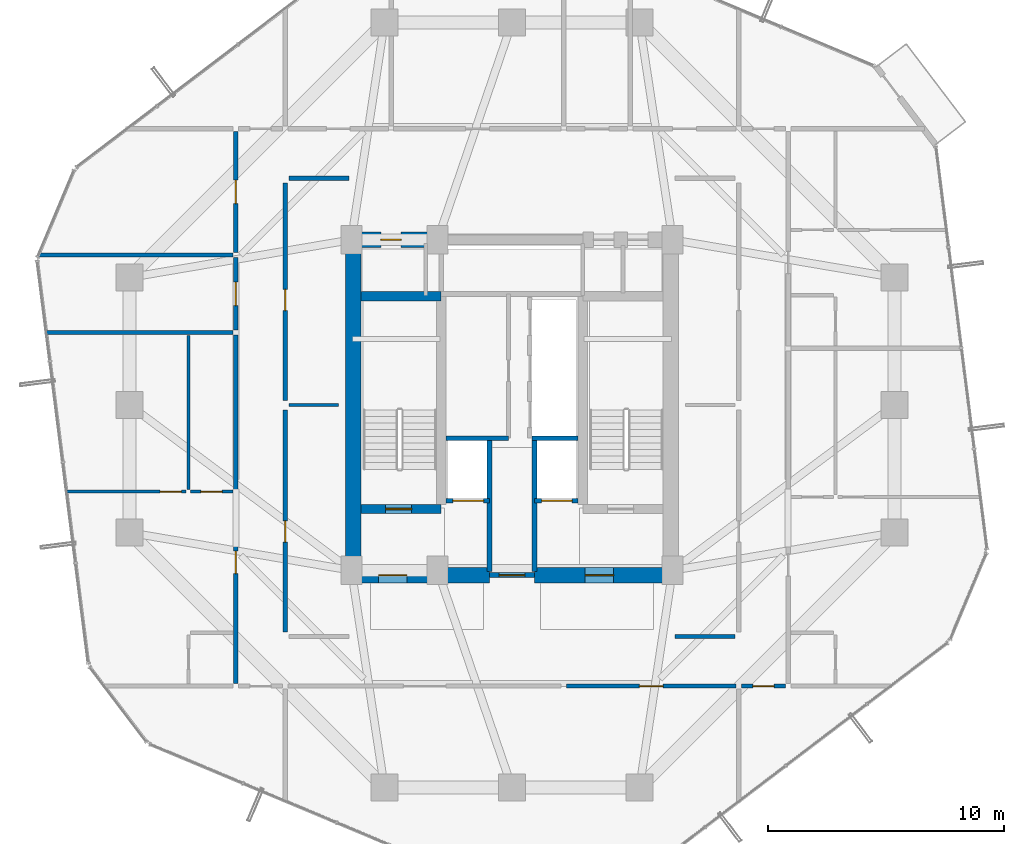
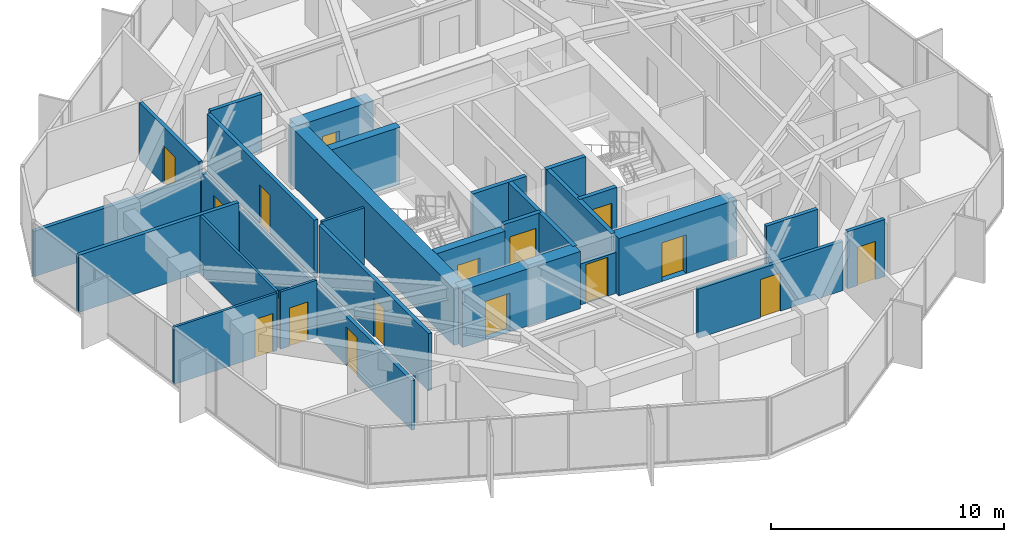
# One storey, part 29 of 33: 28 walls, 16 doors, 16 openings.
"""IFC4 building model written with IfcOpenShell, lengths in metres."""

from ifc_helpers import new_model, si_unit, direction, frame, frame_2d, origin, place, context, subcontext, project, spatial, rectangle, extrude, source, transform, mapped, material, layer, layer_set, type_object, element, fill, save


model = new_model("IFC4")

# Units and contexts
model_context = context("Model", 3, precision=1e-05, world=origin(), true_north=direction((0.0, 1.0)))
body_context = subcontext(model_context, "Body", "Model", "MODEL_VIEW")
ifc_project = project(units=[si_unit("LENGTHUNIT", "METRE"), si_unit("AREAUNIT", "SQUARE_METRE"), si_unit("VOLUMEUNIT", "CUBIC_METRE"), si_unit("PLANEANGLEUNIT", "RADIAN"), si_unit("MASSUNIT", "GRAM", prefix="KILO")], contexts=[model_context])

# Site, building, storey
site_placement = place(None, origin())
site = spatial("IfcSite", under=ifc_project, at=site_placement, CompositionType="ELEMENT")
building_placement = place(site_placement, origin())
building = spatial("IfcBuilding", under=site, at=building_placement, Name="Veraguas Prism Commons", CompositionType="ELEMENT")
storey_placement = place(building_placement, frame((0.0, 0.0, 152.25)))
storey = spatial("IfcBuildingStorey", under=building, at=storey_placement, Name="L43", CompositionType="ELEMENT", Elevation=152.25)

# Wall, opening, door
ifc_material_1 = material(Name="Concrete C50/60", Category="concrete")
ifc_layer_1 = layer(ifc_material_1, 0.39990234375, Name="Clinic and Mid Core Shear Wall RC 400", Category="concrete")
ifc_layer_set_1 = layer_set([ifc_layer_1], Name="Concrete C50/60")
wall_type_1 = type_object("IfcWallType", Name="Clinic and Mid Core Shear Wall RC 400", PredefinedType="SHEAR", material=ifc_layer_set_1)
wall_1_placement = place(storey_placement, frame((17.60009765625, 19.60009765625, 0.0), z_axis=(0.0, 0.0, 1.0), x_axis=(1.0, 0.0, 0.0)))
wall_1 = element("IfcWall", 1, at=wall_1_placement, inside=storey, type_object=wall_type_1, Name="Stair ST-01 South Shear Wall L43", PredefinedType="SHEAR", context=body_context, shape_type="SweptSolid", body=[
    extrude(rectangle(XDim=3.39990234375, YDim=0.39990234375, at=frame_2d((1.699951171875, 0.0))), origin(), (0.0, 0.0, 1.0), 3.0),
])
opening_1_placement = place(wall_1_placement, frame((1.050048828125, 0.0, 0.0)))
opening_1 = element("IfcOpeningElement", 2, at=opening_1_placement, cuts=wall_1, Name="Opening DR-05", PredefinedType="OPENING", context=body_context, shape_type="SweptSolid", body=[
    extrude(rectangle(XDim=1.10009765625, YDim=2.030029296875, at=frame_2d((0.550048828125, 1.01513671875))), frame((0.0, 0.2099609375, 0.0), z_axis=(0.0, -1.0, 0.0), x_axis=(1.0, 0.0, 0.0)), (0.0, 0.0, 1.0), 0.419921875),
])
ifc_material_2 = material(Name="Steel fire-rated door assembly", Category="steel")
door_type_1 = type_object("IfcDoorType", Name="Protected Stair and Refuge Fire Door 1100x2030", OperationType="NOTDEFINED", PredefinedType="DOOR", material=ifc_material_2)
shared_shape_1 = source(origin(), body_context, "Body", "SweptSolid", [
    extrude(rectangle(XDim=1.10009765625, YDim=2.030029296875, at=frame_2d((0.550048828125, 1.01513671875))), frame((0.0, 0.02490234375, 0.0), z_axis=(0.0, -1.0, 0.0), x_axis=(1.0, 0.0, 0.0)), (0.0, 0.0, 1.0), 0.050048828125),
])
door_1_placement = place(opening_1_placement, origin())
door_1 = element("IfcDoor", 3, at=door_1_placement, inside=storey, type_object=door_type_1, Name="Stair ST-01 Enclosure Door L43", OperationType="SINGLE_SWING_LEFT", OverallHeight=2.030029296875, OverallWidth=1.10009765625, PredefinedType="DOOR", context=body_context, shape_type="MappedRepresentation", body=[
    mapped(shared_shape_1, transform((0.0, 0.0, 0.0), scale=1.0)),
])
fill(opening_1, door_1)

# Walls
wall_2_placement = place(storey_placement, frame((17.60009765625, 28.60009765625, 0.0), z_axis=(0.0, 0.0, 1.0), x_axis=(1.0, 0.0, 0.0)))
element("IfcWall", 4, at=wall_2_placement, inside=storey, type_object=wall_type_1, Name="Stair ST-01 North Shear Wall L43", PredefinedType="SHEAR", context=body_context, shape_type="SweptSolid", body=[
    extrude(rectangle(XDim=3.39990234375, YDim=0.39990234375, at=frame_2d((1.699951171875, 0.0))), origin(), (0.0, 0.0, 1.0), 3.0),
])
ifc_material_3 = material(Name="Concrete C55/67", Category="concrete")
ifc_layer_2 = layer(ifc_material_3, 0.64990234375, Name="Core Outer Shear Wall Mid RC 650", Category="concrete")
ifc_layer_set_2 = layer_set([ifc_layer_2], Name="Concrete C55/67")
wall_type_2 = type_object("IfcWallType", Name="Core Outer Shear Wall Mid RC 650", PredefinedType="SHEAR", material=ifc_layer_set_2)
wall_3_placement = place(storey_placement, frame((17.27490234375, 16.800048828125, 0.0), z_axis=(0.0, 0.0, 1.0), x_axis=(0.0, 1.0, 0.0)))
element("IfcWall", 5, at=wall_3_placement, inside=storey, type_object=wall_type_2, Name="Central Core West Shear Wall L43", PredefinedType="SHEAR", context=body_context, shape_type="SweptSolid", body=[
    extrude(rectangle(XDim=14.199951171875, YDim=0.64990234375, at=frame_2d((7.10009765625, 0.0))), origin(), (0.0, 0.0, 1.0), 3.0),
])

# Wall, opening, door
wall_4_placement = place(storey_placement, frame((17.199951171875, 16.800048828125, 0.0), z_axis=(0.0, 0.0, 1.0), x_axis=(1.0, 0.0, 0.0)))
wall_4 = element("IfcWall", 6, at=wall_4_placement, inside=storey, type_object=wall_type_2, Name="Central Core South-West Shear Wall L43", PredefinedType="SHEAR", context=body_context, shape_type="SweptSolid", body=[
    extrude(rectangle(XDim=5.85009765625, YDim=0.64990234375, at=frame_2d((2.925048828125, 0.0))), origin(), (0.0, 0.0, 1.0), 3.0),
])
opening_2_placement = place(wall_4_placement, frame((1.14990234375, 0.0, 0.0)))
opening_2 = element("IfcOpeningElement", 7, at=opening_2_placement, cuts=wall_4, Name="Opening DR-06", PredefinedType="OPENING", context=body_context, shape_type="SweptSolid", body=[
    extrude(rectangle(XDim=1.199951171875, YDim=2.030029296875, at=frame_2d((0.60009765625, 1.01513671875))), frame((0.0, 0.3349609375, 0.0), z_axis=(0.0, -1.0, 0.0), x_axis=(1.0, 0.0, 0.0)), (0.0, 0.0, 1.0), 0.669921875),
])
door_type_2 = type_object("IfcDoorType", Name="Firefighting Lobby Smoke Door 1200x2030", OperationType="NOTDEFINED", PredefinedType="DOOR", material=ifc_material_2)
shared_shape_2 = source(origin(), body_context, "Body", "SweptSolid", [
    extrude(rectangle(XDim=1.199951171875, YDim=2.030029296875, at=frame_2d((0.60009765625, 1.01513671875))), frame((0.0, 0.02490234375, 0.0), z_axis=(0.0, -1.0, 0.0), x_axis=(1.0, 0.0, 0.0)), (0.0, 0.0, 1.0), 0.050048828125),
])
door_2_placement = place(opening_2_placement, origin())
door_2 = element("IfcDoor", 8, at=door_2_placement, inside=storey, type_object=door_type_2, Name="West FF Lobby Door L43", OperationType="SINGLE_SWING_LEFT", OverallHeight=2.030029296875, OverallWidth=1.199951171875, PredefinedType="DOOR", context=body_context, shape_type="MappedRepresentation", body=[
    mapped(shared_shape_2, transform((0.0, 0.0, 0.0), scale=1.0)),
])
fill(opening_2, door_2)

wall_5_placement = place(storey_placement, frame((24.949951171875, 16.800048828125, 0.0), z_axis=(0.0, 0.0, 1.0), x_axis=(1.0, 0.0, 0.0)))
wall_5 = element("IfcWall", 9, at=wall_5_placement, inside=storey, type_object=wall_type_2, Name="Central Core South-East Shear Wall L43", PredefinedType="SHEAR", context=body_context, shape_type="SweptSolid", body=[
    extrude(rectangle(XDim=5.85009765625, YDim=0.64990234375, at=frame_2d((2.925048828125, 0.0))), origin(), (0.0, 0.0, 1.0), 3.0),
])
opening_3_placement = place(wall_5_placement, frame((2.14990234375, 0.0, 0.0)))
opening_3 = element("IfcOpeningElement", 10, at=opening_3_placement, cuts=wall_5, Name="Opening DR-06", PredefinedType="OPENING", context=body_context, shape_type="SweptSolid", body=[
    extrude(rectangle(XDim=1.199951171875, YDim=2.030029296875, at=frame_2d((0.60009765625, 1.01513671875))), frame((0.0, 0.3349609375, 0.0), z_axis=(0.0, -1.0, 0.0), x_axis=(1.0, 0.0, 0.0)), (0.0, 0.0, 1.0), 0.669921875),
])
door_3_placement = place(opening_3_placement, origin())
door_3 = element("IfcDoor", 11, at=door_3_placement, inside=storey, type_object=door_type_2, Name="East FF Lobby Door L43", OperationType="SINGLE_SWING_LEFT", OverallHeight=2.030029296875, OverallWidth=1.199951171875, PredefinedType="DOOR", context=body_context, shape_type="MappedRepresentation", body=[
    mapped(shared_shape_2, transform((0.0, 0.0, 0.0), scale=1.0)),
])
fill(opening_3, door_3)

wall_6_placement = place(storey_placement, frame((17.199951171875, 31.0, 0.0), z_axis=(0.0, 0.0, 1.0), x_axis=(1.0, 0.0, 0.0)))
wall_6 = element("IfcWall", 12, at=wall_6_placement, inside=storey, type_object=wall_type_2, Name="Central Core North-West Shear Wall L43", PredefinedType="SHEAR", context=body_context, shape_type="SweptSolid", body=[
    extrude(rectangle(XDim=3.800048828125, YDim=0.64990234375, at=frame_2d((1.89990234375, 0.0))), origin(), (0.0, 0.0, 1.0), 3.0),
])
opening_4_placement = place(wall_6_placement, frame((1.25, 0.0, 0.0)))
opening_4 = element("IfcOpeningElement", 13, at=opening_4_placement, cuts=wall_6, Name="Opening DR-12", PredefinedType="OPENING", context=body_context, shape_type="SweptSolid", body=[
    extrude(rectangle(XDim=0.860107421875, YDim=2.010009765625, at=frame_2d((0.43017578125, 1.0048828125))), frame((0.0, 0.3349609375, 0.0), z_axis=(0.0, -1.0, 0.0), x_axis=(1.0, 0.0, 0.0)), (0.0, 0.0, 1.0), 0.669921875),
])
door_type_3 = type_object("IfcDoorType", Name="Core WC Fire Door 860x2010", OperationType="NOTDEFINED", PredefinedType="DOOR", material=ifc_material_2)
shared_shape_3 = source(origin(), body_context, "Body", "SweptSolid", [
    extrude(rectangle(XDim=0.860107421875, YDim=2.010009765625, at=frame_2d((0.43017578125, 1.0048828125))), frame((0.0, 0.02490234375, 0.0), z_axis=(0.0, -1.0, 0.0), x_axis=(1.0, 0.0, 0.0)), (0.0, 0.0, 1.0), 0.050048828125),
])
door_4_placement = place(opening_4_placement, origin())
door_4 = element("IfcDoor", 14, at=door_4_placement, inside=storey, type_object=door_type_3, Name="Core NW Service Door L43", OperationType="SINGLE_SWING_RIGHT", OverallHeight=2.010009765625, OverallWidth=0.860107421875, PredefinedType="DOOR", context=body_context, shape_type="MappedRepresentation", body=[
    mapped(shared_shape_3, transform((0.0, 0.0, 0.0), scale=1.0)),
])
fill(opening_4, door_4)

ifc_material_4 = material(Name="Autoclaved aerated masonry block 10 MPa", Category="masonry")
ifc_layer_3 = layer(ifc_material_4, 0.179931640625, Name="Corridor and Inter-Tenancy Partition 180", Category="masonry")
ifc_layer_set_3 = layer_set([ifc_layer_3], Name="Autoclaved aerated masonry block 10 MPa")
wall_type_3 = type_object("IfcWallType", Name="Corridor and Inter-Tenancy Partition 180", PredefinedType="PARTITIONING", material=ifc_layer_set_3)
wall_7_placement = place(storey_placement, frame((14.39990234375, 14.39990234375, 0.0), z_axis=(0.0, 0.0, 1.0), x_axis=(0.0, 1.0, 0.0)))
wall_7 = element("IfcWall", 15, at=wall_7_placement, inside=storey, type_object=wall_type_3, Name="WL-L43-IRW1", PredefinedType="PARTITIONING", context=body_context, shape_type="SweptSolid", body=[
    extrude(rectangle(XDim=9.400146484375, YDim=0.179931640625, at=frame_2d((4.7001953125, 0.0))), origin(), (0.0, 0.0, 1.0), 3.0),
])
opening_5_placement = place(wall_7_placement, frame((3.800048828125, 0.0, 0.0)))
opening_5 = element("IfcOpeningElement", 16, at=opening_5_placement, cuts=wall_7, Name="Opening DR-14", PredefinedType="OPENING", context=body_context, shape_type="SweptSolid", body=[
    extrude(rectangle(XDim=0.89990234375, YDim=2.010009765625, at=frame_2d((0.449951171875, 1.0048828125))), frame((0.0, 0.099853515625, 0.0), z_axis=(0.0, -1.0, 0.0), x_axis=(1.0, 0.0, 0.0)), (0.0, 0.0, 1.0), 0.199951171875),
])
door_type_4 = type_object("IfcDoorType", Name="Core Service Room Fire Door 900x2010", OperationType="NOTDEFINED", PredefinedType="DOOR", material=ifc_material_2)
shared_shape_4 = source(origin(), body_context, "Body", "SweptSolid", [
    extrude(rectangle(XDim=0.89990234375, YDim=2.010009765625, at=frame_2d((0.449951171875, 1.0048828125))), frame((0.0, 0.02490234375, 0.0), z_axis=(0.0, -1.0, 0.0), x_axis=(1.0, 0.0, 0.0)), (0.0, 0.0, 1.0), 0.050048828125),
])
door_5_placement = place(opening_5_placement, origin())
door_5 = element("IfcDoor", 17, at=door_5_placement, inside=storey, type_object=door_type_4, Name="Residents Quiet Study Pod Door L43", OperationType="SINGLE_SWING_RIGHT", OverallHeight=2.010009765625, OverallWidth=0.89990234375, PredefinedType="DOOR", context=body_context, shape_type="MappedRepresentation", body=[
    mapped(shared_shape_4, transform((0.0, 0.0, 0.0), scale=1.0)),
])
fill(opening_5, door_5)

wall_8_placement = place(storey_placement, frame((14.39990234375, 24.199951171875, 0.0), z_axis=(0.0, 0.0, 1.0), x_axis=(0.0, 1.0, 0.0)))
wall_8 = element("IfcWall", 18, at=wall_8_placement, inside=storey, type_object=wall_type_3, Name="WL-L43-IRW2", PredefinedType="PARTITIONING", context=body_context, shape_type="SweptSolid", body=[
    extrude(rectangle(XDim=9.199951171875, YDim=0.179931640625, at=frame_2d((4.60009765625, 0.0))), origin(), (0.0, 0.0, 1.0), 3.0),
])
opening_6_placement = place(wall_8_placement, frame((3.800048828125, 0.0, 0.0)))
opening_6 = element("IfcOpeningElement", 19, at=opening_6_placement, cuts=wall_8, Name="Opening DR-14", PredefinedType="OPENING", context=body_context, shape_type="SweptSolid", body=[
    extrude(rectangle(XDim=0.89990234375, YDim=2.010009765625, at=frame_2d((0.449951171875, 1.0048828125))), frame((0.0, 0.099853515625, 0.0), z_axis=(0.0, -1.0, 0.0), x_axis=(1.0, 0.0, 0.0)), (0.0, 0.0, 1.0), 0.199951171875),
])
door_6_placement = place(opening_6_placement, origin())
door_6 = element("IfcDoor", 20, at=door_6_placement, inside=storey, type_object=door_type_4, Name="Co-op Cycle and Pram Store Door L43", OperationType="SINGLE_SWING_LEFT", OverallHeight=2.010009765625, OverallWidth=0.89990234375, PredefinedType="DOOR", context=body_context, shape_type="MappedRepresentation", body=[
    mapped(shared_shape_4, transform((0.0, 0.0, 0.0), scale=1.0)),
])
fill(opening_6, door_6)

# Walls
for number, where, z_axis, x_axis, name in (
    (21, (14.550048828125, 33.60009765625, 0.0), (0.0, 0.0, 1.0), (1.0, 0.0, 0.0), "WL-L43-IRWN"),
    (22, (30.89990234375, 14.199951171875, 0.0), (0.0, 0.0, 1.0), (1.0, 0.0, 0.0), "WL-L43-IRES"),
):
    element("IfcWall", number, at=place(storey_placement, frame(where, z_axis=z_axis, x_axis=x_axis)), inside=storey, type_object=wall_type_3, Name=name, PredefinedType="PARTITIONING", context=body_context, shape_type="SweptSolid", body=[
        extrude(rectangle(XDim=2.550048828125, YDim=0.179931640625, at=frame_2d((1.27490234375, 0.0))), origin(), (0.0, 0.0, 1.0), 3.0),
    ])

# Wall, opening, door
wall_9_placement = place(storey_placement, frame((26.303955078125, 12.10009765625, 0.0), z_axis=(0.0, 0.0, 1.0), x_axis=(1.0, 0.0, 0.0)))
wall_9 = element("IfcWall", 23, at=wall_9_placement, inside=storey, type_object=wall_type_3, Name="WL-L43-PT004", PredefinedType="PARTITIONING", context=body_context, shape_type="SweptSolid", body=[
    extrude(rectangle(XDim=7.18603515625, YDim=0.179931640625, at=frame_2d((3.593017578125, 0.0))), origin(), (0.0, 0.0, 1.0), 2.580078125),
])
opening_7_placement = place(wall_9_placement, frame((3.093017578125, 0.0, 0.0)))
opening_7 = element("IfcOpeningElement", 24, at=opening_7_placement, cuts=wall_9, Name="Opening DR-13", PredefinedType="OPENING", context=body_context, shape_type="SweptSolid", body=[
    extrude(rectangle(XDim=1.0, YDim=2.010009765625, at=frame_2d((0.5, 1.0048828125))), frame((0.0, 0.099853515625, 0.0), z_axis=(0.0, -1.0, 0.0), x_axis=(1.0, 0.0, 0.0)), (0.0, 0.0, 1.0), 0.199951171875),
])
door_type_5 = type_object("IfcDoorType", Name="Core Accessible WC and Clinic Fire Door 1000x2010", OperationType="NOTDEFINED", PredefinedType="DOOR", material=ifc_material_2)
shared_shape_5 = source(origin(), body_context, "Body", "SweptSolid", [
    extrude(rectangle(XDim=1.0, YDim=2.010009765625, at=frame_2d((0.5, 1.0048828125))), frame((0.0, 0.02490234375, 0.0), z_axis=(0.0, -1.0, 0.0), x_axis=(1.0, 0.0, 0.0)), (0.0, 0.0, 1.0), 0.050048828125),
])
door_7_placement = place(opening_7_placement, origin())
door_7 = element("IfcDoor", 25, at=door_7_placement, inside=storey, type_object=door_type_5, Name="Community Multipurpose Assembly Hall Door 2", OperationType="SINGLE_SWING_LEFT", OverallHeight=2.010009765625, OverallWidth=1.0, PredefinedType="DOOR", context=body_context, shape_type="MappedRepresentation", body=[
    mapped(shared_shape_5, transform((0.0, 0.0, 0.0), scale=1.0)),
])
fill(opening_7, door_7)

wall_10_placement = place(storey_placement, frame((12.300048828125, 12.2099609375, 0.0), z_axis=(0.0, 0.0, 1.0), x_axis=(0.0, 1.0, 0.0)))
wall_10 = element("IfcWall", 26, at=wall_10_placement, inside=storey, type_object=wall_type_3, Name="WL-L43-PT016", PredefinedType="PARTITIONING", context=body_context, shape_type="SweptSolid", body=[
    extrude(rectangle(XDim=14.751953125, YDim=0.179931640625, at=frame_2d((7.3759765625, 0.0))), origin(), (0.0, 0.0, 1.0), 2.580078125),
])
opening_8_placement = place(wall_10_placement, frame((4.657470703125, 0.0, 0.0)))
opening_8 = element("IfcOpeningElement", 27, at=opening_8_placement, cuts=wall_10, Name="Opening DR-01", PredefinedType="OPENING", context=body_context, shape_type="SweptSolid", body=[
    extrude(rectangle(XDim=0.949951171875, YDim=2.02001953125, at=frame_2d((0.47509765625, 1.010009765625))), frame((0.0, 0.099853515625, 0.0), z_axis=(0.0, -1.0, 0.0), x_axis=(1.0, 0.0, 0.0)), (0.0, 0.0, 1.0), 0.199951171875),
])
ifc_material_5 = material(Name="Anodised aluminium EN AW-6063 T6", Category="aluminium")
door_type_6 = type_object("IfcDoorType", Name="Apartment Entrance Fire Door 950x2020", OperationType="NOTDEFINED", PredefinedType="DOOR", material=ifc_material_5)
shared_shape_6 = source(origin(), body_context, "Body", "SweptSolid", [
    extrude(rectangle(XDim=0.949951171875, YDim=2.02001953125, at=frame_2d((0.47509765625, 1.010009765625))), frame((0.0, 0.02490234375, 0.0), z_axis=(0.0, -1.0, 0.0), x_axis=(1.0, 0.0, 0.0)), (0.0, 0.0, 1.0), 0.050048828125),
])
door_8_placement = place(opening_8_placement, origin())
door_8 = element("IfcDoor", 28, at=door_8_placement, inside=storey, type_object=door_type_6, Name="Flat 43A Entrance Door", OperationType="SINGLE_SWING_RIGHT", OverallHeight=2.02001953125, OverallWidth=0.949951171875, PredefinedType="DOOR", context=body_context, shape_type="MappedRepresentation", body=[
    mapped(shared_shape_6, transform((0.0, 0.0, 0.0), scale=1.0)),
])
fill(opening_8, door_8)

# Wall
wall_11_placement = place(storey_placement, frame((12.179931640625, 27.072021484375, 0.0), z_axis=(0.0, 0.0, 1.0), x_axis=(-1.0, 0.0, 0.0)))
element("IfcWall", 29, at=wall_11_placement, inside=storey, type_object=wall_type_3, Name="WL-L43-PT022", PredefinedType="PARTITIONING", context=body_context, shape_type="SweptSolid", body=[
    extrude(rectangle(XDim=7.93701171875, YDim=0.179931640625, at=frame_2d((3.968505859375, 0.0))), origin(), (0.0, 0.0, 1.0), 3.0),
])

# Wall, opening, door
wall_12_placement = place(storey_placement, frame((12.300048828125, 27.181884765625, 0.0), z_axis=(0.0, 0.0, 1.0), x_axis=(0.0, 1.0, 0.0)))
wall_12 = element("IfcWall", 30, at=wall_12_placement, inside=storey, type_object=wall_type_3, Name="WL-L43-PT023", PredefinedType="PARTITIONING", context=body_context, shape_type="SweptSolid", body=[
    extrude(rectangle(XDim=3.05908203125, YDim=0.179931640625, at=frame_2d((1.529541015625, 0.0))), origin(), (0.0, 0.0, 1.0), 2.580078125),
])
opening_9_placement = place(wall_12_placement, frame((1.029541015625, 0.0, 0.0)))
opening_9 = element("IfcOpeningElement", 31, at=opening_9_placement, cuts=wall_12, Name="Opening DR-13", PredefinedType="OPENING", context=body_context, shape_type="SweptSolid", body=[
    extrude(rectangle(XDim=1.0, YDim=2.010009765625, at=frame_2d((0.5, 1.0048828125))), frame((0.0, 0.099853515625, 0.0), z_axis=(0.0, -1.0, 0.0), x_axis=(1.0, 0.0, 0.0)), (0.0, 0.0, 1.0), 0.199951171875),
])
door_9_placement = place(opening_9_placement, origin())
door_9 = element("IfcDoor", 32, at=door_9_placement, inside=storey, type_object=door_type_5, Name="Residents Study Room Door", OperationType="SINGLE_SWING_RIGHT", OverallHeight=2.010009765625, OverallWidth=1.0, PredefinedType="DOOR", context=body_context, shape_type="MappedRepresentation", body=[
    mapped(shared_shape_5, transform((0.0, 0.0, 0.0), scale=1.0)),
])
fill(opening_9, door_9)

wall_13_placement = place(storey_placement, frame((12.300048828125, 30.4609375, 0.0), z_axis=(0.0, 0.0, 1.0), x_axis=(0.0, 1.0, 0.0)))
wall_13 = element("IfcWall", 33, at=wall_13_placement, inside=storey, type_object=wall_type_3, Name="WL-L43-PT024", PredefinedType="PARTITIONING", context=body_context, shape_type="SweptSolid", body=[
    extrude(rectangle(XDim=5.129150390625, YDim=0.179931640625, at=frame_2d((2.564453125, 0.0))), origin(), (0.0, 0.0, 1.0), 3.0),
])
opening_10_placement = place(wall_13_placement, frame((2.064453125, 0.0, 0.0)))
opening_10 = element("IfcOpeningElement", 34, at=opening_10_placement, cuts=wall_13, Name="Opening DR-13", PredefinedType="OPENING", context=body_context, shape_type="SweptSolid", body=[
    extrude(rectangle(XDim=1.0, YDim=2.010009765625, at=frame_2d((0.5, 1.0048828125))), frame((0.0, 0.099853515625, 0.0), z_axis=(0.0, -1.0, 0.0), x_axis=(1.0, 0.0, 0.0)), (0.0, 0.0, 1.0), 0.199951171875),
])
door_10_placement = place(opening_10_placement, origin())
door_10 = element("IfcDoor", 35, at=door_10_placement, inside=storey, type_object=door_type_5, Name="Co-op Store W Door", OperationType="SINGLE_SWING_LEFT", OverallHeight=2.010009765625, OverallWidth=1.0, PredefinedType="DOOR", context=body_context, shape_type="MappedRepresentation", body=[
    mapped(shared_shape_5, transform((0.0, 0.0, 0.0), scale=1.0)),
])
fill(opening_10, door_10)

# Wall
wall_14_placement = place(storey_placement, frame((12.179931640625, 30.35107421875, 0.0), z_axis=(0.0, 0.0, 1.0), x_axis=(-1.0, 0.0, 0.0)))
element("IfcWall", 36, at=wall_14_placement, inside=storey, type_object=wall_type_3, Name="WL-L43-PT025", PredefinedType="PARTITIONING", context=body_context, shape_type="SweptSolid", body=[
    extrude(rectangle(XDim=8.268310546875, YDim=0.179931640625, at=frame_2d((4.13427734375, 0.0))), origin(), (0.0, 0.0, 1.0), 2.3779296875),
])

# Wall, opening, door
wall_15_placement = place(storey_placement, frame((33.719970703125, 12.10009765625, 0.0), z_axis=(0.0, 0.0, 1.0), x_axis=(1.0, 0.0, 0.0)))
wall_15 = element("IfcWall", 37, at=wall_15_placement, inside=storey, type_object=wall_type_3, Name="WL-L43-PT042", PredefinedType="PARTITIONING", context=body_context, shape_type="SweptSolid", body=[
    extrude(rectangle(XDim=1.860107421875, YDim=0.179931640625, at=frame_2d((0.93017578125, 0.0))), origin(), (0.0, 0.0, 1.0), 3.0),
])
opening_11_placement = place(wall_15_placement, frame((0.47998046875, 0.0, 0.0)))
opening_11 = element("IfcOpeningElement", 38, at=opening_11_placement, cuts=wall_15, Name="Opening DR-14", PredefinedType="OPENING", context=body_context, shape_type="SweptSolid", body=[
    extrude(rectangle(XDim=0.89990234375, YDim=2.010009765625, at=frame_2d((0.449951171875, 1.0048828125))), frame((0.0, 0.099853515625, 0.0), z_axis=(0.0, -1.0, 0.0), x_axis=(1.0, 0.0, 0.0)), (0.0, 0.0, 1.0), 0.199951171875),
])
door_11_placement = place(opening_11_placement, origin())
door_11 = element("IfcDoor", 39, at=door_11_placement, inside=storey, type_object=door_type_4, Name="Shared Laundry Room SE Door", OperationType="SINGLE_SWING_LEFT", OverallHeight=2.010009765625, OverallWidth=0.89990234375, PredefinedType="DOOR", context=body_context, shape_type="MappedRepresentation", body=[
    mapped(shared_shape_4, transform((0.0, 0.0, 0.0), scale=1.0)),
])
fill(opening_11, door_11)

# Wall
ifc_material_6 = material(Name="Lightweight acoustic gypsum board")
ifc_layer_4 = layer(ifc_material_6, 0.125, Name="Internal Apartment Room Partition 125")
ifc_layer_set_4 = layer_set([ifc_layer_4], Name="Lightweight acoustic gypsum board")
wall_type_4 = type_object("IfcWallType", Name="Internal Apartment Room Partition 125", PredefinedType="PARTITIONING", material=ifc_layer_set_4)
wall_16_placement = place(storey_placement, frame((14.550048828125, 24.0, 0.0), z_axis=(0.0, 0.0, 1.0), x_axis=(1.0, 0.0, 0.0)))
element("IfcWall", 40, at=wall_16_placement, inside=storey, type_object=wall_type_4, Name="WL-L43-IRWM", PredefinedType="PARTITIONING", context=body_context, shape_type="SweptSolid", body=[
    extrude(rectangle(XDim=2.099853515625, YDim=0.125, at=frame_2d((1.0498046875, 0.0))), origin(), (0.0, 0.0, 1.0), 3.0),
])

# Wall, opening, door
wall_17_placement = place(storey_placement, frame((12.179931640625, 20.3349609375, 0.0), z_axis=(0.0, 0.0, 1.0), x_axis=(-1.0, 0.0, 0.0)))
wall_17 = element("IfcWall", 41, at=wall_17_placement, inside=storey, type_object=wall_type_4, Name="WL-L43-PT019", PredefinedType="PARTITIONING", context=body_context, shape_type="SweptSolid", body=[
    extrude(rectangle(XDim=1.800048828125, YDim=0.125, at=frame_2d((0.89990234375, 0.0))), origin(), (0.0, 0.0, 1.0), 3.0),
])
opening_12_placement = place(wall_17_placement, frame((0.449951171875, 0.0, 0.0)))
opening_12 = element("IfcOpeningElement", 42, at=opening_12_placement, cuts=wall_17, Name="Opening DR-02", PredefinedType="OPENING", context=body_context, shape_type="SweptSolid", body=[
    extrude(rectangle(XDim=0.89990234375, YDim=2.010009765625, at=frame_2d((0.449951171875, 1.0048828125))), frame((0.0, 0.072509765625, 0.0), z_axis=(0.0, -1.0, 0.0), x_axis=(1.0, 0.0, 0.0)), (0.0, 0.0, 1.0), 0.14501953125),
])
ifc_material_7 = material(Name="Timber solid core hardwood", Category="wood")
door_type_7 = type_object("IfcDoorType", Name="Internal Habitable Room Door 900x2010", OperationType="NOTDEFINED", PredefinedType="DOOR", material=ifc_material_7)
door_12_placement = place(opening_12_placement, origin())
door_12 = element("IfcDoor", 43, at=door_12_placement, inside=storey, type_object=door_type_7, Name="Flat 43A Kitchen Door", OperationType="SINGLE_SWING_RIGHT", OverallHeight=2.010009765625, OverallWidth=0.89990234375, PredefinedType="DOOR", context=body_context, shape_type="MappedRepresentation", body=[
    mapped(shared_shape_4, transform((0.0, 0.0, 0.0), scale=1.0)),
])
fill(opening_12, door_12)

# Wall
wall_18_placement = place(storey_placement, frame((10.300048828125, 20.43505859375, 0.0), z_axis=(0.0, 0.0, 1.0), x_axis=(0.0, 1.0, 0.0)))
element("IfcWall", 44, at=wall_18_placement, inside=storey, type_object=wall_type_4, Name="WL-L43-PT020", PredefinedType="PARTITIONING", context=body_context, shape_type="SweptSolid", body=[
    extrude(rectangle(XDim=6.516845703125, YDim=0.125, at=frame_2d((3.25830078125, 0.0))), origin(), (0.0, 0.0, 1.0), 3.0),
])

# Wall, opening, door
wall_19_placement = place(storey_placement, frame((10.199951171875, 20.3349609375, 0.0), z_axis=(0.0, 0.0, 1.0), x_axis=(-1.0, 0.0, 0.0)))
wall_19 = element("IfcWall", 45, at=wall_19_placement, inside=storey, type_object=wall_type_4, Name="WL-L43-PT021", PredefinedType="PARTITIONING", context=body_context, shape_type="SweptSolid", body=[
    extrude(rectangle(XDim=5.101318359375, YDim=0.125, at=frame_2d((2.55078125, 0.0))), origin(), (0.0, 0.0, 1.0), 3.0),
])
opening_13_placement = place(wall_19_placement, frame((0.199951171875, 0.0, 0.0)))
opening_13 = element("IfcOpeningElement", 46, at=opening_13_placement, cuts=wall_19, Name="Opening DR-02", PredefinedType="OPENING", context=body_context, shape_type="SweptSolid", body=[
    extrude(rectangle(XDim=0.89990234375, YDim=2.010009765625, at=frame_2d((0.449951171875, 1.0048828125))), frame((0.0, 0.072509765625, 0.0), z_axis=(0.0, -1.0, 0.0), x_axis=(1.0, 0.0, 0.0)), (0.0, 0.0, 1.0), 0.14501953125),
])
door_13_placement = place(opening_13_placement, origin())
door_13 = element("IfcDoor", 47, at=door_13_placement, inside=storey, type_object=door_type_7, Name="Flat 43A Bedroom 1 Door", OperationType="SINGLE_SWING_LEFT", OverallHeight=2.010009765625, OverallWidth=0.89990234375, PredefinedType="DOOR", context=body_context, shape_type="MappedRepresentation", body=[
    mapped(shared_shape_4, transform((0.0, 0.0, 0.0), scale=1.0)),
])
fill(opening_13, door_13)

ifc_layer_5 = layer(ifc_material_4, 0.199951171875, Name="Rated Shaft and Lobby Block Wall 200", Category="masonry")
ifc_layer_set_5 = layer_set([ifc_layer_5], Name="Autoclaved aerated masonry block 10 MPa")
wall_type_5 = type_object("IfcWallType", Name="Rated Shaft and Lobby Block Wall 200", PredefinedType="SOLIDWALL", material=ifc_layer_set_5)
wall_20_placement = place(storey_placement, frame((23.050048828125, 16.800048828125, 0.0), z_axis=(0.0, 0.0, 1.0), x_axis=(1.0, 0.0, 0.0)))
wall_20 = element("IfcWall", 48, at=wall_20_placement, inside=storey, type_object=wall_type_5, Name="Central Core Lobby Entrance Wall L43", PredefinedType="SOLIDWALL", context=body_context, shape_type="SweptSolid", body=[
    extrude(rectangle(XDim=1.89990234375, YDim=0.199951171875, at=frame_2d((0.949951171875, 0.0))), origin(), (0.0, 0.0, 1.0), 2.14990234375),
])
opening_14_placement = place(wall_20_placement, frame((0.39990234375, 0.0, 0.0)))
opening_14 = element("IfcOpeningElement", 49, at=opening_14_placement, cuts=wall_20, Name="Opening DR-05", PredefinedType="OPENING", context=body_context, shape_type="SweptSolid", body=[
    extrude(rectangle(XDim=1.10009765625, YDim=2.030029296875, at=frame_2d((0.550048828125, 1.01513671875))), frame((0.0, 0.10986328125, 0.0), z_axis=(0.0, -1.0, 0.0), x_axis=(1.0, 0.0, 0.0)), (0.0, 0.0, 1.0), 0.219970703125),
])
door_14_placement = place(opening_14_placement, origin())
door_14 = element("IfcDoor", 50, at=door_14_placement, inside=storey, type_object=door_type_1, Name="Central Lobby Door L43", OperationType="SINGLE_SWING_RIGHT", OverallHeight=2.030029296875, OverallWidth=1.10009765625, PredefinedType="DOOR", context=body_context, shape_type="MappedRepresentation", body=[
    mapped(shared_shape_1, transform((0.0, 0.0, 0.0), scale=1.0)),
])
fill(opening_14, door_14)

wall_21_placement = place(storey_placement, frame((21.199951171875, 19.949951171875, 0.0), z_axis=(0.0, 0.0, 1.0), x_axis=(1.0, 0.0, 0.0)))
wall_21 = element("IfcWall", 51, at=wall_21_placement, inside=storey, type_object=wall_type_5, Name="Firefighting Lift FFL-1 Front Wall L43", PredefinedType="SOLIDWALL", context=body_context, shape_type="SweptSolid", body=[
    extrude(rectangle(XDim=1.85009765625, YDim=0.199951171875, at=frame_2d((0.925048828125, 0.0))), origin(), (0.0, 0.0, 1.0), 3.0),
])
opening_15_placement = place(wall_21_placement, frame((0.300048828125, 0.0, 0.0)))
opening_15 = element("IfcOpeningElement", 52, at=opening_15_placement, cuts=wall_21, Name="Opening LD-02", PredefinedType="OPENING", context=body_context, shape_type="SweptSolid", body=[
    extrude(rectangle(XDim=1.300048828125, YDim=2.25, at=frame_2d((0.64990234375, 1.125))), frame((0.0, 0.10986328125, 0.0), z_axis=(0.0, -1.0, 0.0), x_axis=(1.0, 0.0, 0.0)), (0.0, 0.0, 1.0), 0.219970703125),
])
ifc_material_8 = material(Name="Stainless steel AISI 316", Category="steel")
door_type_8 = type_object("IfcDoorType", Name="Firefighting Lift Sliding Landing Door 1300x2250", OperationType="NOTDEFINED", PredefinedType="DOOR", material=ifc_material_8)
shared_shape_7 = source(origin(), body_context, "Body", "SweptSolid", [
    extrude(rectangle(XDim=1.300048828125, YDim=2.25, at=frame_2d((0.64990234375, 1.125))), frame((0.0, 0.02490234375, 0.0), z_axis=(0.0, -1.0, 0.0), x_axis=(1.0, 0.0, 0.0)), (0.0, 0.0, 1.0), 0.050048828125),
])
door_15_placement = place(opening_15_placement, origin())
door_15 = element("IfcDoor", 53, at=door_15_placement, inside=storey, type_object=door_type_8, Name="Firefighting Lift FFL-1 Landing Door L43", OperationType="SLIDING_TO_LEFT", OverallHeight=2.25, OverallWidth=1.300048828125, PredefinedType="DOOR", context=body_context, shape_type="MappedRepresentation", body=[
    mapped(shared_shape_7, transform((0.0, 0.0, 0.0), scale=1.0)),
])
fill(opening_15, door_15)

wall_22_placement = place(storey_placement, frame((24.949951171875, 19.949951171875, 0.0), z_axis=(0.0, 0.0, 1.0), x_axis=(1.0, 0.0, 0.0)))
wall_22 = element("IfcWall", 54, at=wall_22_placement, inside=storey, type_object=wall_type_5, Name="Firefighting Lift FFL-2 Front Wall L43", PredefinedType="SOLIDWALL", context=body_context, shape_type="SweptSolid", body=[
    extrude(rectangle(XDim=1.85009765625, YDim=0.199951171875, at=frame_2d((0.925048828125, 0.0))), origin(), (0.0, 0.0, 1.0), 3.0),
])
opening_16_placement = place(wall_22_placement, frame((0.300048828125, 0.0, 0.0)))
opening_16 = element("IfcOpeningElement", 55, at=opening_16_placement, cuts=wall_22, Name="Opening LD-02", PredefinedType="OPENING", context=body_context, shape_type="SweptSolid", body=[
    extrude(rectangle(XDim=1.300048828125, YDim=2.25, at=frame_2d((0.64990234375, 1.125))), frame((0.0, 0.10986328125, 0.0), z_axis=(0.0, -1.0, 0.0), x_axis=(1.0, 0.0, 0.0)), (0.0, 0.0, 1.0), 0.219970703125),
])
door_16_placement = place(opening_16_placement, origin())
door_16 = element("IfcDoor", 56, at=door_16_placement, inside=storey, type_object=door_type_8, Name="Firefighting Lift FFL-2 Front Wall L43", OperationType="SLIDING_TO_LEFT", OverallHeight=2.25, OverallWidth=1.300048828125, PredefinedType="DOOR", context=body_context, shape_type="MappedRepresentation", body=[
    mapped(shared_shape_7, transform((0.0, 0.0, 0.0), scale=1.0)),
])
fill(opening_16, door_16)

# Walls
for number, where, z_axis, x_axis, name in (
    (57, (23.050048828125, 16.949951171875, 0.0), (0.0, 0.0, 1.0), (0.0, 1.0, 0.0), "West FF Lobby Divider Wall L43"),
    (58, (24.949951171875, 16.949951171875, 0.0), (0.0, 0.0, 1.0), (0.0, 1.0, 0.0), "East FF Lobby Divider Wall L43"),
):
    element("IfcWall", number, at=place(storey_placement, frame(where, z_axis=z_axis, x_axis=x_axis)), inside=storey, type_object=wall_type_5, Name=name, PredefinedType="SOLIDWALL", context=body_context, shape_type="SweptSolid", body=[
        extrude(rectangle(XDim=5.60009765625, YDim=0.199951171875, at=frame_2d((2.800048828125, 0.0))), origin(), (0.0, 0.0, 1.0), 3.0),
    ])
wall_23_placement = place(storey_placement, frame((21.199951171875, 22.60009765625, 0.0), z_axis=(0.0, 0.0, 1.0), x_axis=(1.0, 0.0, 0.0)))
element("IfcWall", 59, at=wall_23_placement, inside=storey, type_object=wall_type_5, Name="Firefighting Lift FFL-1 Rear Wall L43", PredefinedType="SOLIDWALL", context=body_context, shape_type="SweptSolid", body=[
    extrude(rectangle(XDim=2.650146484375, YDim=0.199951171875, at=frame_2d((1.3251953125, 0.0))), origin(), (0.0, 0.0, 1.0), 3.0),
])
wall_24_placement = place(storey_placement, frame((24.85009765625, 22.60009765625, 0.0), z_axis=(0.0, 0.0, 1.0), x_axis=(1.0, 0.0, 0.0)))
element("IfcWall", 60, at=wall_24_placement, inside=storey, type_object=wall_type_5, Name="Firefighting Lift FFL-2 Rear Wall L43", PredefinedType="SOLIDWALL", context=body_context, shape_type="SweptSolid", body=[
    extrude(rectangle(XDim=1.949951171875, YDim=0.199951171875, at=frame_2d((0.97509765625, 0.0))), origin(), (0.0, 0.0, 1.0), 3.0),
])

save(model, "model.ifc")
